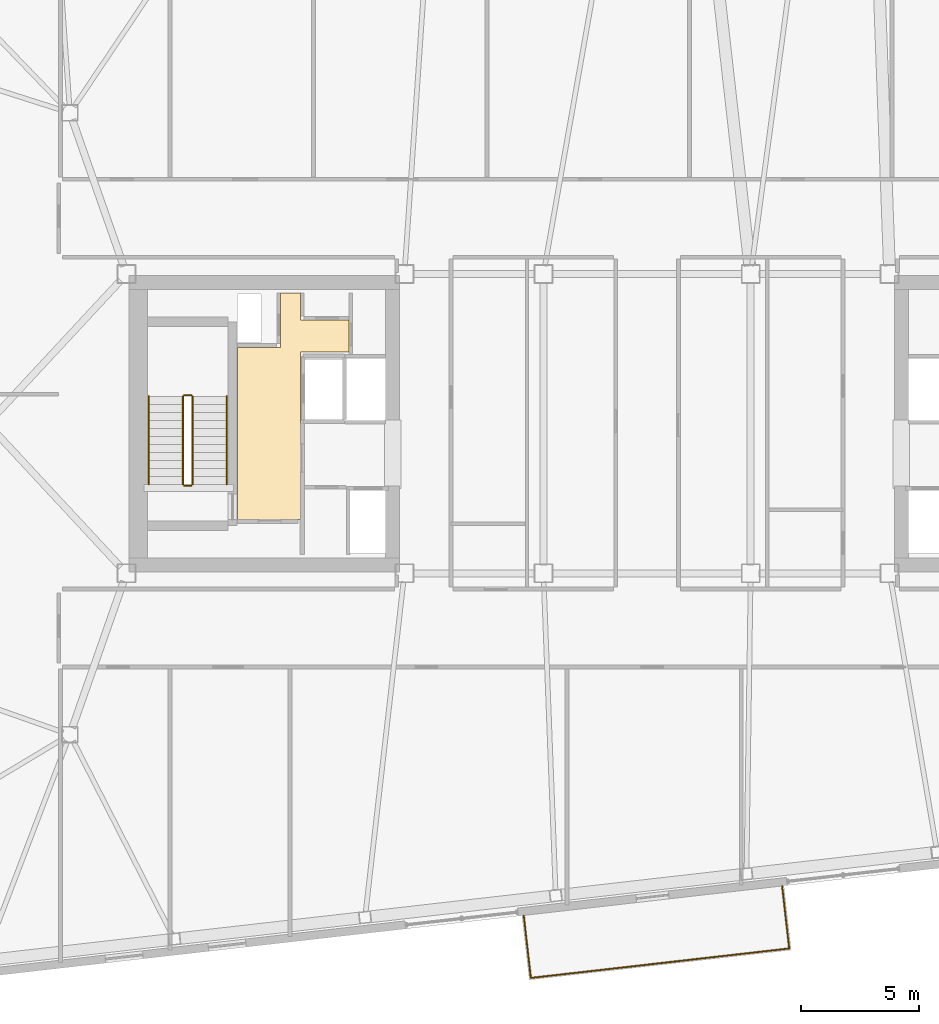
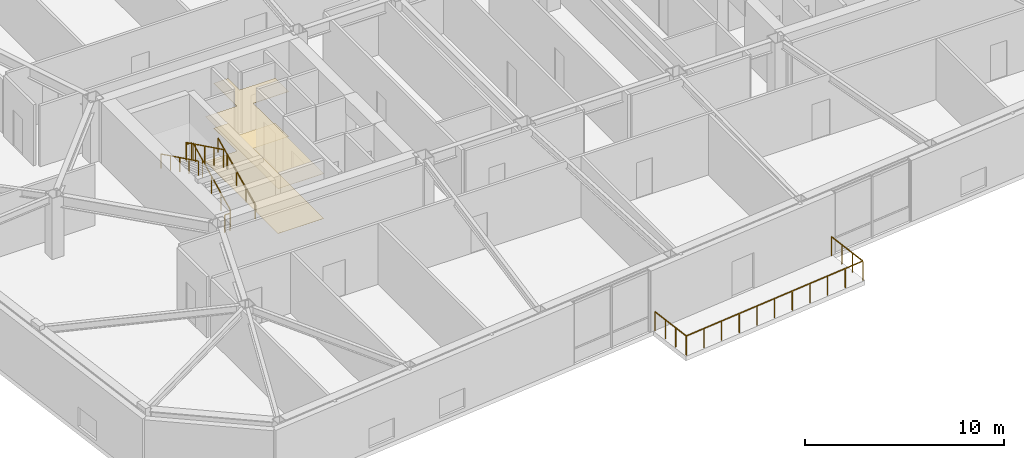
# One storey, part 19 of 20: 7 railings, 2 coverings.
"""IFC4 building model written with IfcOpenShell, lengths in metres."""

from ifc_helpers import new_model, si_unit, direction, frame, origin, origin_2d, place, context, subcontext, project, spatial, polyline, rectangle, outline, extrude, material, layer, layer_set, type_object, element, save


model = new_model("IFC4")

# Units and contexts
model_context = context("Model", 3, precision=1e-05, world=origin(), true_north=direction((0.0, 1.0)))
body_context = subcontext(model_context, "Body", "Model", "MODEL_VIEW")
ifc_project = project(units=[si_unit("LENGTHUNIT", "METRE"), si_unit("AREAUNIT", "SQUARE_METRE"), si_unit("VOLUMEUNIT", "CUBIC_METRE"), si_unit("PLANEANGLEUNIT", "RADIAN"), si_unit("MASSUNIT", "GRAM", prefix="KILO")], contexts=[model_context])

# Site, building, storey
site_placement = place(None, origin())
site = spatial("IfcSite", under=ifc_project, at=site_placement, CompositionType="ELEMENT")
building_placement = place(site_placement, origin())
building = spatial("IfcBuilding", under=site, at=building_placement, Name="Tavrogorsk Clinical Tower", CompositionType="ELEMENT")
storey_placement = place(building_placement, frame((0.0, 0.0, 234.199951171875)))
storey = spatial("IfcBuildingStorey", under=building, at=storey_placement, Name="L54", CompositionType="ELEMENT", Elevation=234.199951171875)

# Coverings
ifc_material_1 = material(Name="Antibacterial micro-perforated aluminium ceiling", Category="aluminium")
ifc_layer_1 = layer(ifc_material_1, 0.014892578125)
ifc_layer_set_1 = layer_set([ifc_layer_1], Name="Antibacterial micro-perforated aluminium ceiling")
covering_type_1 = type_object("IfcCoveringType", Name="ClinicalCeiling_15", PredefinedType="CEILING", material=ifc_layer_set_1)
covering_1_placement = place(storey_placement, frame((0.0, 0.0, 2.75)))
element("IfcCovering", 1, at=covering_1_placement, inside=storey, type_object=covering_type_1, Name="Core West Firefighting Lift Lobby Acoustic Ceiling", PredefinedType="CEILING", context=body_context, shape_type="SweptSolid", body=[
    extrude(outline(polyline([(-17.3798828125, -4.06005859375), (-17.3798828125, 3.239990234375), (-15.56005859375, 3.239990234375), (-15.56005859375, 5.56005859375), (-14.719970703125, 5.56005859375), (-14.719970703125, 4.39990234375), (-12.659912109375, 4.39990234375), (-12.659912109375, 3.0400390625), (-14.719970703125, 3.0400390625), (-14.719970703125, -4.06005859375), (-17.3798828125, -4.06005859375)])), origin(), (0.0, 0.0, 1.0), 0.01513671875),
])
ifc_material_2 = material(Name="Homogeneous medical conductive PVC flooring")
ifc_layer_2 = layer(ifc_material_2, 0.008056640625)
ifc_layer_set_2 = layer_set([ifc_layer_2], Name="Homogeneous medical conductive PVC flooring")
covering_type_2 = type_object("IfcCoveringType", Name="ResilientVinylFloor_8", PredefinedType="FLOORING", material=ifc_layer_set_2)
covering_2_placement = place(storey_placement, origin())
element("IfcCovering", 2, at=covering_2_placement, inside=storey, type_object=covering_type_2, Name="Core West Firefighting Lift Lobby Conductive Vinyl Flooring", PredefinedType="FLOORING", context=body_context, shape_type="SweptSolid", body=[
    extrude(outline(polyline([(-17.3798828125, -4.06005859375), (-17.3798828125, 3.239990234375), (-15.56005859375, 3.239990234375), (-15.56005859375, 5.56005859375), (-14.719970703125, 5.56005859375), (-14.719970703125, 4.39990234375), (-12.659912109375, 4.39990234375), (-12.659912109375, 3.0400390625), (-14.719970703125, 3.0400390625), (-14.719970703125, -4.06005859375), (-17.3798828125, -4.06005859375)])), origin(), (0.0, 0.0, 1.0), 0.008056640625),
])

# Railings
ifc_material_3 = material(Name="Galvanised steel S355 safety stairwell guard", Category="steel")
ifc_layer_3 = layer(ifc_material_3, 0.06005859375)
ifc_layer_set_3 = layer_set([ifc_layer_3], Name="Galvanised steel S355 safety stairwell guard")
railing_type_1 = type_object("IfcRailingType", Name="StairGuard_1150", PredefinedType="GUARDRAIL", material=ifc_layer_set_3)
railing_1_placement = place(storey_placement, frame((-19.300048828125, -2.574951171875, 0.166748046875)))
element("IfcRailing", 3, at=railing_1_placement, inside=storey, type_object=railing_type_1, Name="L54 ST-W stair guard 1", PredefinedType="GUARDRAIL", context=body_context, shape_type="SweptSolid", body=[
    extrude(rectangle(XDim=0.048095703125, YDim=0.048095703125, at=origin_2d()), frame((0.0, 0.0, 1.076171875), z_axis=(0.0, 0.897927990467, 0.440142390523), x_axis=(-1.0, 0.0, 0.0)), (0.0, 0.0, 1.0), 4.1650390625),
    extrude(rectangle(XDim=0.0419921875, YDim=0.0419921875, at=origin_2d()), origin(), (0.0, 0.0, 1.0), 1.052001953125),
    extrude(rectangle(XDim=0.0419921875, YDim=0.0419921875, at=origin_2d()), frame((0.0, 0.93505859375, 0.458251953125)), (0.0, 0.0, 1.0), 1.052001953125),
    extrude(rectangle(XDim=0.0419921875, YDim=0.0419921875, at=origin_2d()), frame((0.0, 1.8701171875, 0.91650390625)), (0.0, 0.0, 1.0), 1.052001953125),
    extrude(rectangle(XDim=0.0419921875, YDim=0.0419921875, at=origin_2d()), frame((0.0, 2.804931640625, 1.375)), (0.0, 0.0, 1.0), 1.052001953125),
    extrude(rectangle(XDim=0.0419921875, YDim=0.0419921875, at=origin_2d()), frame((0.0, 3.739990234375, 1.833251953125)), (0.0, 0.0, 1.0), 1.052001953125),
])
railing_2_placement = place(storey_placement, frame((-19.35009765625, 1.215087890625, 2.0)))
element("IfcRailing", 4, at=railing_2_placement, inside=storey, type_object=railing_type_1, Name="L54 ST-W stair guard 2", PredefinedType="GUARDRAIL", context=body_context, shape_type="SweptSolid", body=[
    extrude(rectangle(XDim=0.048095703125, YDim=0.048095703125, at=origin_2d()), frame((0.0, 0.0, 1.076171875), z_axis=(-1.0, 0.0, 0.0), x_axis=(0.0, -1.0, 0.0)), (0.0, 0.0, 1.0), 0.2998046875),
    extrude(rectangle(XDim=0.0419921875, YDim=0.0419921875, at=origin_2d()), origin(), (0.0, 0.0, 1.0), 1.052001953125),
    extrude(rectangle(XDim=0.0419921875, YDim=0.0419921875, at=origin_2d()), frame((-0.2998046875, 0.0, 0.0)), (0.0, 0.0, 1.0), 1.052001953125),
])
railing_3_placement = place(storey_placement, frame((-19.699951171875, 1.1650390625, 2.166748046875)))
element("IfcRailing", 5, at=railing_3_placement, inside=storey, type_object=railing_type_1, Name="L54 ST-W stair guard 3", PredefinedType="GUARDRAIL", context=body_context, shape_type="SweptSolid", body=[
    extrude(rectangle(XDim=0.048095703125, YDim=0.048095703125, at=origin_2d()), frame((0.0, 0.0, 1.076171875), z_axis=(0.0, -0.897927990467, 0.440142390523), x_axis=(1.0, 0.0, 0.0)), (0.0, 0.0, 1.0), 4.1650390625),
    extrude(rectangle(XDim=0.0419921875, YDim=0.0419921875, at=origin_2d()), origin(), (0.0, 0.0, 1.0), 1.052001953125),
    extrude(rectangle(XDim=0.0419921875, YDim=0.0419921875, at=origin_2d()), frame((0.0, -0.93505859375, 0.458251953125)), (0.0, 0.0, 1.0), 1.052001953125),
    extrude(rectangle(XDim=0.0419921875, YDim=0.0419921875, at=origin_2d()), frame((0.0, -1.8701171875, 0.91650390625)), (0.0, 0.0, 1.0), 1.052001953125),
    extrude(rectangle(XDim=0.0419921875, YDim=0.0419921875, at=origin_2d()), frame((0.0, -2.804931640625, 1.375)), (0.0, 0.0, 1.0), 1.052001953125),
    extrude(rectangle(XDim=0.0419921875, YDim=0.0419921875, at=origin_2d()), frame((0.0, -3.739990234375, 1.833251953125)), (0.0, 0.0, 1.0), 1.052001953125),
])
railing_4_placement = place(storey_placement, frame((-19.35009765625, -2.625, 0.0)))
element("IfcRailing", 6, at=railing_4_placement, inside=storey, type_object=railing_type_1, Name="L54 ST-W stair guard 4", PredefinedType="GUARDRAIL", context=body_context, shape_type="SweptSolid", body=[
    extrude(rectangle(XDim=0.048095703125, YDim=0.048095703125, at=origin_2d()), frame((0.0, 0.0, 1.076171875), z_axis=(-1.0, 0.0, 0.0), x_axis=(0.0, -1.0, 0.0)), (0.0, 0.0, 1.0), 0.2998046875),
    extrude(rectangle(XDim=0.0419921875, YDim=0.0419921875, at=origin_2d()), origin(), (0.0, 0.0, 1.0), 1.052001953125),
    extrude(rectangle(XDim=0.0419921875, YDim=0.0419921875, at=origin_2d()), frame((-0.2998046875, 0.0, 0.0)), (0.0, 0.0, 1.0), 1.052001953125),
])
ifc_material_4 = material(Name="Stainless steel AISI 304 tubular handrail", Category="steel")
ifc_layer_4 = layer(ifc_material_4, 0.050048828125)
ifc_layer_set_4 = layer_set([ifc_layer_4], Name="Stainless steel AISI 304 tubular handrail")
railing_type_2 = type_object("IfcRailingType", Name="StairHandrail_920", PredefinedType="HANDRAIL", material=ifc_layer_set_4)
railing_5_placement = place(storey_placement, frame((-17.85009765625, -2.574951171875, 0.166748046875)))
element("IfcRailing", 7, at=railing_5_placement, inside=storey, type_object=railing_type_2, Name="L54 ST-W stair handrail 1", PredefinedType="HANDRAIL", context=body_context, shape_type="SweptSolid", body=[
    extrude(rectangle(XDim=0.048095703125, YDim=0.048095703125, at=origin_2d()), frame((0.0, 0.0, 0.8759765625), z_axis=(0.0, 0.897927990467, 0.440142390523), x_axis=(-1.0, 0.0, 0.0)), (0.0, 0.0, 1.0), 4.1650390625),
    extrude(rectangle(XDim=0.0419921875, YDim=0.0419921875, at=origin_2d()), origin(), (0.0, 0.0, 1.0), 0.851806640625),
    extrude(rectangle(XDim=0.0419921875, YDim=0.0419921875, at=origin_2d()), frame((0.0, 0.93505859375, 0.458251953125)), (0.0, 0.0, 1.0), 0.851806640625),
    extrude(rectangle(XDim=0.0419921875, YDim=0.0419921875, at=origin_2d()), frame((0.0, 1.8701171875, 0.91650390625)), (0.0, 0.0, 1.0), 0.851806640625),
    extrude(rectangle(XDim=0.0419921875, YDim=0.0419921875, at=origin_2d()), frame((0.0, 2.804931640625, 1.375)), (0.0, 0.0, 1.0), 0.851806640625),
    extrude(rectangle(XDim=0.0419921875, YDim=0.0419921875, at=origin_2d()), frame((0.0, 3.739990234375, 1.833251953125)), (0.0, 0.0, 1.0), 0.851806640625),
])
railing_6_placement = place(storey_placement, frame((-21.14990234375, 1.1650390625, 2.166748046875)))
element("IfcRailing", 8, at=railing_6_placement, inside=storey, type_object=railing_type_2, Name="L54 ST-W stair handrail 2", PredefinedType="HANDRAIL", context=body_context, shape_type="SweptSolid", body=[
    extrude(rectangle(XDim=0.048095703125, YDim=0.048095703125, at=origin_2d()), frame((0.0, 0.0, 0.8759765625), z_axis=(0.0, -0.897927990467, 0.440142390523), x_axis=(1.0, 0.0, 0.0)), (0.0, 0.0, 1.0), 4.1650390625),
    extrude(rectangle(XDim=0.0419921875, YDim=0.0419921875, at=origin_2d()), origin(), (0.0, 0.0, 1.0), 0.851806640625),
    extrude(rectangle(XDim=0.0419921875, YDim=0.0419921875, at=origin_2d()), frame((0.0, -0.93505859375, 0.458251953125)), (0.0, 0.0, 1.0), 0.851806640625),
    extrude(rectangle(XDim=0.0419921875, YDim=0.0419921875, at=origin_2d()), frame((0.0, -1.8701171875, 0.91650390625)), (0.0, 0.0, 1.0), 0.851806640625),
    extrude(rectangle(XDim=0.0419921875, YDim=0.0419921875, at=origin_2d()), frame((0.0, -2.804931640625, 1.375)), (0.0, 0.0, 1.0), 0.851806640625),
    extrude(rectangle(XDim=0.0419921875, YDim=0.0419921875, at=origin_2d()), frame((0.0, -3.739990234375, 1.833251953125)), (0.0, 0.0, 1.0), 0.851806640625),
])
ifc_material_5 = material(Name="Stainless steel AISI 316 and laminated glass balustrade", Category="steel")
ifc_layer_5 = layer(ifc_material_5, 0.090087890625)
ifc_layer_set_5 = layer_set([ifc_layer_5], Name="Stainless steel AISI 316 and laminated glass balustrade")
railing_type_3 = type_object("IfcRailingType", Name="TerraceGuardRailing_1200", PredefinedType="BALUSTRADE", material=ifc_layer_set_5)
railing_7_placement = place(storey_placement, frame((-5.2333984375, -20.894287109375, 0.0)))
element("IfcRailing", 9, at=railing_7_placement, inside=storey, type_object=railing_type_3, Name="L54 Spiralling Terrace Balustrade GD-01", PredefinedType="BALUSTRADE", context=body_context, shape_type="SweptSolid", body=[
    extrude(rectangle(XDim=0.048095703125, YDim=0.048095703125, at=origin_2d()), frame((0.0, 0.0, 1.17578125), z_axis=(0.113221808681, -0.993569736878, 0.0), x_axis=(0.993569736878, 0.113221808681, 0.0)), (0.0, 0.0, 1.0), 2.650146484375),
    extrude(rectangle(XDim=0.048095703125, YDim=0.048095703125, at=origin_2d()), frame((0.300048828125, -2.633056640625, 1.17578125), z_axis=(0.993571887876, 0.113202931159, 0.0), x_axis=(-0.113202931159, 0.993571887876, 0.0)), (0.0, 0.0, 1.0), 11.0400390625),
    extrude(rectangle(XDim=0.048095703125, YDim=0.048095703125, at=origin_2d()), frame((11.26904296875, -1.38330078125, 1.17578125), z_axis=(-0.113130863078, 0.993580096328, 0.0), x_axis=(-0.993580096328, -0.113130863078, 0.0)), (0.0, 0.0, 1.0), 2.650146484375),
    extrude(rectangle(XDim=0.0419921875, YDim=0.0419921875, at=origin_2d()), origin(), (0.0, 0.0, 1.0), 1.15185546875),
    extrude(rectangle(XDim=0.0419921875, YDim=0.0419921875, at=origin_2d()), frame((0.10009765625, -0.877685546875, 0.0)), (0.0, 0.0, 1.0), 1.15185546875),
    extrude(rectangle(XDim=0.0419921875, YDim=0.0419921875, at=origin_2d()), frame((0.199951171875, -1.75537109375, 0.0)), (0.0, 0.0, 1.0), 1.15185546875),
    extrude(rectangle(XDim=0.0419921875, YDim=0.0419921875, at=origin_2d()), frame((0.300048828125, -2.633056640625, 0.0)), (0.0, 0.0, 1.0), 1.15185546875),
    extrude(rectangle(XDim=0.0419921875, YDim=0.0419921875, at=origin_2d()), frame((1.39697265625, -2.508056640625, 0.0)), (0.0, 0.0, 1.0), 1.15185546875),
    extrude(rectangle(XDim=0.0419921875, YDim=0.0419921875, at=origin_2d()), frame((2.493896484375, -2.383056640625, 0.0)), (0.0, 0.0, 1.0), 1.15185546875),
    extrude(rectangle(XDim=0.0419921875, YDim=0.0419921875, at=origin_2d()), frame((3.5908203125, -2.258056640625, 0.0)), (0.0, 0.0, 1.0), 1.15185546875),
    extrude(rectangle(XDim=0.0419921875, YDim=0.0419921875, at=origin_2d()), frame((4.687744140625, -2.133056640625, 0.0)), (0.0, 0.0, 1.0), 1.15185546875),
    extrude(rectangle(XDim=0.0419921875, YDim=0.0419921875, at=origin_2d()), frame((5.78466796875, -2.00830078125, 0.0)), (0.0, 0.0, 1.0), 1.15185546875),
    extrude(rectangle(XDim=0.0419921875, YDim=0.0419921875, at=origin_2d()), frame((6.88134765625, -1.88330078125, 0.0)), (0.0, 0.0, 1.0), 1.15185546875),
    extrude(rectangle(XDim=0.0419921875, YDim=0.0419921875, at=origin_2d()), frame((7.978271484375, -1.75830078125, 0.0)), (0.0, 0.0, 1.0), 1.15185546875),
    extrude(rectangle(XDim=0.0419921875, YDim=0.0419921875, at=origin_2d()), frame((9.0751953125, -1.63330078125, 0.0)), (0.0, 0.0, 1.0), 1.15185546875),
    extrude(rectangle(XDim=0.0419921875, YDim=0.0419921875, at=origin_2d()), frame((10.172119140625, -1.50830078125, 0.0)), (0.0, 0.0, 1.0), 1.15185546875),
    extrude(rectangle(XDim=0.0419921875, YDim=0.0419921875, at=origin_2d()), frame((11.26904296875, -1.38330078125, 0.0)), (0.0, 0.0, 1.0), 1.15185546875),
    extrude(rectangle(XDim=0.0419921875, YDim=0.0419921875, at=origin_2d()), frame((11.169189453125, -0.505615234375, 0.0)), (0.0, 0.0, 1.0), 1.15185546875),
    extrude(rectangle(XDim=0.0419921875, YDim=0.0419921875, at=origin_2d()), frame((11.069091796875, 0.3720703125, 0.0)), (0.0, 0.0, 1.0), 1.15185546875),
    extrude(rectangle(XDim=0.0419921875, YDim=0.0419921875, at=origin_2d()), frame((10.96923828125, 1.249755859375, 0.0)), (0.0, 0.0, 1.0), 1.15185546875),
])

save(model, "model.ifc")
